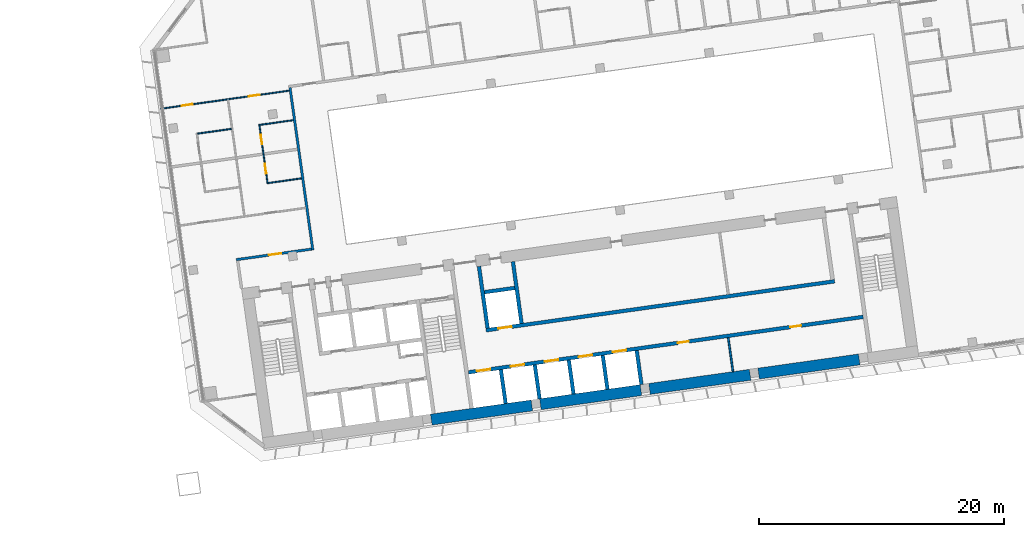
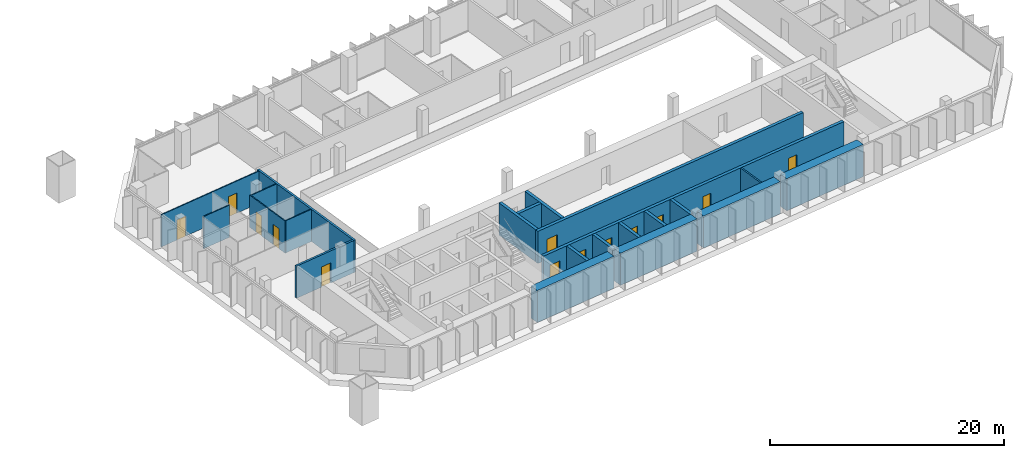
# One storey, part 19 of 25: 22 walls, 13 doors, 13 openings.
"""IFC4 building model written with IfcOpenShell, lengths in metres."""

from ifc_helpers import new_model, si_unit, direction, frame, frame_2d, origin, place, context, subcontext, project, spatial, rectangle, extrude, material, layer, layer_set, type_object, element, fill, save


model = new_model("IFC4")

# Units and contexts
model_context = context("Model", 3, precision=1e-05, world=origin(), true_north=direction((0.0, 1.0)))
body_context = subcontext(model_context, "Body", "Model", "MODEL_VIEW")
ifc_project = project(units=[si_unit("LENGTHUNIT", "METRE"), si_unit("AREAUNIT", "SQUARE_METRE"), si_unit("VOLUMEUNIT", "CUBIC_METRE"), si_unit("PLANEANGLEUNIT", "RADIAN"), si_unit("MASSUNIT", "GRAM", prefix="KILO")], contexts=[model_context])

# Site, building, storey
site_placement = place(None, origin())
site = spatial("IfcSite", under=ifc_project, at=site_placement, CompositionType="ELEMENT")
building_placement = place(site_placement, origin())
building = spatial("IfcBuilding", under=site, at=building_placement, Name="Mirante Cascada Hotel Towers", CompositionType="ELEMENT")
storey_placement = place(building_placement, frame((0.0, 0.0, 69.9)))
storey = spatial("IfcBuildingStorey", under=building, at=storey_placement, Name="L14", CompositionType="ELEMENT", Elevation=69.9)

# Wall, opening, door
ifc_material_1 = material(Name="Fire-rated plasterboard on metal studs")
ifc_layer_1 = layer(ifc_material_1, 0.2)
ifc_layer_set_1 = layer_set([ifc_layer_1], Name="Compartment wall 200 EI 120")
wall_type_1 = type_object("IfcWallType", Name="Compartment wall 200 EI 120", PredefinedType="PARTITIONING", material=ifc_layer_set_1)
wall_1_placement = place(storey_placement, frame((34.8304, -4.7545, 0.0), z_axis=(0.0, 0.0, 1.0), x_axis=(0.9902695, 0.1391629, 0.0)))
wall_1 = element("IfcWall", 1, at=wall_1_placement, inside=storey, type_object=wall_type_1, Name="Wall 2-L14-03", PredefinedType="PARTITIONING", context=body_context, shape_type="SweptSolid", body=[
    extrude(rectangle(XDim=6.1999, YDim=0.2, at=frame_2d((3.1, 0.0))), origin(), (0.0, 0.0, 1.0), 3.35),
])
opening_1_placement = place(wall_1_placement, frame((2.7, 0.0, 0.0)))
opening_1 = element("IfcOpeningElement", 2, at=opening_1_placement, cuts=wall_1, Name="Opening D2-L14-04", PredefinedType="OPENING", context=body_context, shape_type="SweptSolid", body=[
    extrude(rectangle(XDim=1.0, YDim=2.1, at=frame_2d((0.5, 1.05))), frame((0.0, 0.1, 0.0), z_axis=(0.0, -1.0, 0.0), x_axis=(1.0, 0.0, 0.0)), (0.0, 0.0, 1.0), 0.2),
])
ifc_material_2 = material(Name="Fire-rated timber door leaf", Category="wood")
door_type_1 = type_object("IfcDoorType", Name="Entrance door DG1 1000x2100 EI 60", OperationType="SINGLE_SWING_LEFT", PredefinedType="DOOR", material=ifc_material_2)
door_1_placement = place(opening_1_placement, frame((1.0, 0.0, 0.0), z_axis=(0.0, 0.0, 1.0), x_axis=(-1.0, 0.0, 0.0)))
door_1 = element("IfcDoor", 3, at=door_1_placement, inside=storey, type_object=door_type_1, Name="Door D2-L14-04", OperationType="SINGLE_SWING_RIGHT", OverallHeight=2.1, OverallWidth=1.0, PredefinedType="DOOR", context=body_context, shape_type="SweptSolid", body=[
    extrude(rectangle(XDim=1.0, YDim=2.1, at=frame_2d((0.5, 1.05))), frame((0.0, 0.025, 0.0), z_axis=(0.0, -1.0, 0.0), x_axis=(1.0, 0.0, 0.0)), (0.0, 0.0, 1.0), 0.05),
])
fill(opening_1, door_1)

# Walls
wall_2_placement = place(storey_placement, frame((39.2181, 9.2928, 0.0), z_axis=(0.0, 0.0, 1.0), x_axis=(0.1391716, -0.9902683, 0.0)))
element("IfcWall", 4, at=wall_2_placement, inside=storey, type_object=wall_type_1, Name="Wall 2-L14-34", PredefinedType="PARTITIONING", context=body_context, shape_type="SweptSolid", body=[
    extrude(rectangle(XDim=13.4, YDim=0.2, at=frame_2d((6.7, 0.0))), origin(), (0.0, 0.0, 1.0), 3.35),
])
ifc_material_3 = material(Name="Masonry block", Category="masonry")
ifc_layer_2 = layer(ifc_material_3, 0.15)
ifc_layer_set_2 = layer_set([ifc_layer_2], Name="Core room partition 150 block EI 30")
wall_type_2 = type_object("IfcWallType", Name="Core room partition 150 block EI 30", PredefinedType="PARTITIONING", material=ifc_layer_set_2)
wall_3_placement = place(storey_placement, frame((75.3976, -13.8977, 0.0), z_axis=(0.0, 0.0, 1.0), x_axis=(-0.139141, 0.9902726, 0.0)))
element("IfcWall", 5, at=wall_3_placement, inside=storey, type_object=wall_type_2, Name="Core wall partition T2 L14 5", PredefinedType="PARTITIONING", context=body_context, shape_type="SweptSolid", body=[
    extrude(rectangle(XDim=2.8, YDim=0.15, at=frame_2d((1.4, 0.0))), origin(), (0.0, 0.0, 1.0), 3.35),
])
ifc_material_4 = material(Name="Plasterboard on metal studs")
ifc_layer_3 = layer(ifc_material_4, 0.1)
ifc_layer_set_3 = layer_set([ifc_layer_3], Name="Partition 100")
wall_type_3 = type_object("IfcWallType", Name="Partition 100", PredefinedType="PARTITIONING", material=ifc_layer_set_3)
wall_4_placement = place(storey_placement, frame((40.1582, 1.8849, 0.0), z_axis=(0.0, 0.0, 1.0), x_axis=(-0.9902641, -0.1392013, 0.0)))
element("IfcWall", 6, at=wall_4_placement, inside=storey, type_object=wall_type_3, Name="Wall 2-L14-10", PredefinedType="PARTITIONING", context=body_context, shape_type="SweptSolid", body=[
    extrude(rectangle(XDim=2.75, YDim=0.1, at=frame_2d((1.375, 0.0))), origin(), (0.0, 0.0, 1.0), 3.35),
])
wall_5_placement = place(storey_placement, frame((31.667, 5.5387, 0.0), z_axis=(0.0, 0.0, 1.0), x_axis=(0.9902677, 0.139176, 0.0)))
element("IfcWall", 7, at=wall_5_placement, inside=storey, type_object=wall_type_3, Name="Wall 2-L14-13", PredefinedType="PARTITIONING", context=body_context, shape_type="SweptSolid", body=[
    extrude(rectangle(XDim=2.8001, YDim=0.1, at=frame_2d((1.4, 0.0))), origin(), (0.0, 0.0, 1.0), 3.35),
])
wall_6_placement = place(storey_placement, frame((39.4902, 6.6381, 0.0), z_axis=(0.0, 0.0, 1.0), x_axis=(-0.9902698, -0.1391607, 0.0)))
element("IfcWall", 8, at=wall_6_placement, inside=storey, type_object=wall_type_3, Name="Wall 2-L14-14", PredefinedType="PARTITIONING", context=body_context, shape_type="SweptSolid", body=[
    extrude(rectangle(XDim=2.7501, YDim=0.1, at=frame_2d((1.3751, 0.0))), origin(), (0.0, 0.0, 1.0), 3.35),
])

# Wall, openings, doors
wall_7_placement = place(storey_placement, frame((28.6547, 7.5726, 0.0), z_axis=(0.0, 0.0, 1.0), x_axis=(0.9902671, 0.1391797, 0.0)))
wall_7 = element("IfcWall", 9, at=wall_7_placement, inside=storey, type_object=wall_type_3, Name="Wall 2-L14-17", PredefinedType="PARTITIONING", context=body_context, shape_type="SweptSolid", body=[
    extrude(rectangle(XDim=10.6, YDim=0.1, at=frame_2d((5.3, 0.0))), origin(), (0.0, 0.0, 1.0), 3.35),
])
opening_2_placement = place(wall_7_placement, frame((1.725, 0.0, 0.0)))
opening_2 = element("IfcOpeningElement", 10, at=opening_2_placement, cuts=wall_7, Name="Opening D2-L14-07", PredefinedType="OPENING", context=body_context, shape_type="SweptSolid", body=[
    extrude(rectangle(XDim=0.9, YDim=2.1, at=frame_2d((0.45, 1.05))), frame((0.0, 0.05, 0.0), z_axis=(0.0, -1.0, 0.0), x_axis=(1.0, 0.0, 0.0)), (0.0, 0.0, 1.0), 0.1),
])
opening_3_placement = place(wall_7_placement, frame((7.275, 0.0, 0.0)))
opening_3 = element("IfcOpeningElement", 11, at=opening_3_placement, cuts=wall_7, Name="Opening D2-L14-08", PredefinedType="OPENING", context=body_context, shape_type="SweptSolid", body=[
    extrude(rectangle(XDim=0.9, YDim=2.1, at=frame_2d((0.45, 1.05))), frame((0.0, 0.05, 0.0), z_axis=(0.0, -1.0, 0.0), x_axis=(1.0, 0.0, 0.0)), (0.0, 0.0, 1.0), 0.1),
])
ifc_material_5 = material(Name="Timber door leaf", Category="wood")
door_type_2 = type_object("IfcDoorType", Name="Room door DG3 900x2100", OperationType="SINGLE_SWING_LEFT", PredefinedType="DOOR", material=ifc_material_5)
door_2_placement = place(opening_2_placement, origin())
door_2 = element("IfcDoor", 12, at=door_2_placement, inside=storey, type_object=door_type_2, Name="Door D2-L14-07", OperationType="SINGLE_SWING_LEFT", OverallHeight=2.1, OverallWidth=0.9, PredefinedType="DOOR", context=body_context, shape_type="SweptSolid", body=[
    extrude(rectangle(XDim=0.9, YDim=2.1, at=frame_2d((0.45, 1.05))), frame((0.0, 0.025, 0.0), z_axis=(0.0, -1.0, 0.0), x_axis=(1.0, 0.0, 0.0)), (0.0, 0.0, 1.0), 0.05),
])
fill(opening_2, door_2)
door_3_placement = place(opening_3_placement, origin())
door_3 = element("IfcDoor", 13, at=door_3_placement, inside=storey, type_object=door_type_2, Name="Door D2-L14-08", OperationType="SINGLE_SWING_LEFT", OverallHeight=2.1, OverallWidth=0.9, PredefinedType="DOOR", context=body_context, shape_type="SweptSolid", body=[
    extrude(rectangle(XDim=0.9, YDim=2.1, at=frame_2d((0.45, 1.05))), frame((0.0, 0.025, 0.0), z_axis=(0.0, -1.0, 0.0), x_axis=(1.0, 0.0, 0.0)), (0.0, 0.0, 1.0), 0.05),
])
fill(opening_3, door_3)

wall_8_placement = place(storey_placement, frame((37.3924, 1.4457, 0.0), z_axis=(0.0, 0.0, 1.0), x_axis=(-0.1391638, 0.9902694, 0.0)))
wall_8 = element("IfcWall", 14, at=wall_8_placement, inside=storey, type_object=wall_type_3, Name="Wall 2-L14-33", PredefinedType="PARTITIONING", context=body_context, shape_type="SweptSolid", body=[
    extrude(rectangle(XDim=4.9, YDim=0.1, at=frame_2d((2.45, 0.0))), origin(), (0.0, 0.0, 1.0), 3.35),
])
opening_4_placement = place(wall_8_placement, frame((0.85, 0.0, 0.0)))
opening_4 = element("IfcOpeningElement", 15, at=opening_4_placement, cuts=wall_8, Name="Opening D2-L14-32", PredefinedType="OPENING", context=body_context, shape_type="SweptSolid", body=[
    extrude(rectangle(XDim=0.8, YDim=2.1, at=frame_2d((0.4, 1.05))), frame((0.0, 0.05, 0.0), z_axis=(0.0, -1.0, 0.0), x_axis=(1.0, 0.0, 0.0)), (0.0, 0.0, 1.0), 0.1),
])
opening_5_placement = place(wall_8_placement, frame((3.25, 0.0, 0.0)))
opening_5 = element("IfcOpeningElement", 16, at=opening_5_placement, cuts=wall_8, Name="Opening D2-L14-33", PredefinedType="OPENING", context=body_context, shape_type="SweptSolid", body=[
    extrude(rectangle(XDim=0.8, YDim=2.1, at=frame_2d((0.4, 1.05))), frame((0.0, 0.05, 0.0), z_axis=(0.0, -1.0, 0.0), x_axis=(1.0, 0.0, 0.0)), (0.0, 0.0, 1.0), 0.1),
])
ifc_material_6 = material(Name="Timber door leaf", Category="wood")
door_type_3 = type_object("IfcDoorType", Name="Bathroom door DG4 800x2100", OperationType="SINGLE_SWING_LEFT", PredefinedType="DOOR", material=ifc_material_6)
door_4_placement = place(opening_4_placement, frame((0.8, 0.0, 0.0), z_axis=(0.0, 0.0, 1.0), x_axis=(-1.0, 0.0, 0.0)))
door_4 = element("IfcDoor", 17, at=door_4_placement, inside=storey, type_object=door_type_3, Name="Door D2-L14-32", OperationType="SINGLE_SWING_RIGHT", OverallHeight=2.1, OverallWidth=0.8, PredefinedType="DOOR", context=body_context, shape_type="SweptSolid", body=[
    extrude(rectangle(XDim=0.8, YDim=2.1, at=frame_2d((0.4, 1.05))), frame((0.0, 0.025, 0.0), z_axis=(0.0, -1.0, 0.0), x_axis=(1.0, 0.0, 0.0)), (0.0, 0.0, 1.0), 0.05),
])
fill(opening_4, door_4)
door_5_placement = place(opening_5_placement, frame((0.8, 0.0, 0.0), z_axis=(0.0, 0.0, 1.0), x_axis=(-1.0, 0.0, 0.0)))
door_5 = element("IfcDoor", 18, at=door_5_placement, inside=storey, type_object=door_type_3, Name="Door D2-L14-33", OperationType="SINGLE_SWING_RIGHT", OverallHeight=2.1, OverallWidth=0.8, PredefinedType="DOOR", context=body_context, shape_type="SweptSolid", body=[
    extrude(rectangle(XDim=0.8, YDim=2.1, at=frame_2d((0.4, 1.05))), frame((0.0, 0.025, 0.0), z_axis=(0.0, -1.0, 0.0), x_axis=(1.0, 0.0, 0.0)), (0.0, 0.0, 1.0), 0.05),
])
fill(opening_5, door_5)

ifc_material_7 = material(Name="Concrete C50/60", Category="concrete")
ifc_layer_4 = layer(ifc_material_7, 0.3)
ifc_layer_set_4 = layer_set([ifc_layer_4], Name="RC core wall 300 C50/60")
wall_type_4 = type_object("IfcWallType", Name="RC core wall 300 C50/60", PredefinedType="SHEAR", material=ifc_layer_set_4)
wall_9_placement = place(storey_placement, frame((53.7953, -13.9547, 0.0), z_axis=(0.0, 0.0, 1.0), x_axis=(0.990268, 0.1391733, 0.0)))
wall_9 = element("IfcWall", 19, at=wall_9_placement, inside=storey, type_object=wall_type_4, Name="Core wall T2:L14:25", PredefinedType="SHEAR", context=body_context, shape_type="SweptSolid", body=[
    extrude(rectangle(XDim=32.5501, YDim=0.3, at=frame_2d((16.275, 0.0))), origin(), (0.0, 0.0, 1.0), 3.35),
])
opening_6_placement = place(wall_9_placement, frame((0.7, 0.0, 0.0)))
opening_6 = element("IfcOpeningElement", 20, at=opening_6_placement, cuts=wall_9, Name="Opening LD", PredefinedType="OPENING", context=body_context, shape_type="SweptSolid", body=[
    extrude(rectangle(XDim=1.1, YDim=2.1, at=frame_2d((0.55, 1.05))), frame((0.0, 0.15, 0.0), z_axis=(0.0, -1.0, 0.0), x_axis=(1.0, 0.0, 0.0)), (0.0, 0.0, 1.0), 0.3),
])
opening_7_placement = place(wall_9_placement, frame((3.5, 0.0, 0.0)))
opening_7 = element("IfcOpeningElement", 21, at=opening_7_placement, cuts=wall_9, Name="Opening LD", PredefinedType="OPENING", context=body_context, shape_type="SweptSolid", body=[
    extrude(rectangle(XDim=1.1, YDim=2.1, at=frame_2d((0.55, 1.05))), frame((0.0, 0.15, 0.0), z_axis=(0.0, -1.0, 0.0), x_axis=(1.0, 0.0, 0.0)), (0.0, 0.0, 1.0), 0.3),
])
opening_8_placement = place(wall_9_placement, frame((6.3, 0.0, 0.0)))
opening_8 = element("IfcOpeningElement", 22, at=opening_8_placement, cuts=wall_9, Name="Opening LD", PredefinedType="OPENING", context=body_context, shape_type="SweptSolid", body=[
    extrude(rectangle(XDim=1.1, YDim=2.1, at=frame_2d((0.55, 1.05))), frame((0.0, 0.15, 0.0), z_axis=(0.0, -1.0, 0.0), x_axis=(1.0, 0.0, 0.0)), (0.0, 0.0, 1.0), 0.3),
])
opening_9_placement = place(wall_9_placement, frame((9.1, 0.0, 0.0)))
opening_9 = element("IfcOpeningElement", 23, at=opening_9_placement, cuts=wall_9, Name="Opening LD", PredefinedType="OPENING", context=body_context, shape_type="SweptSolid", body=[
    extrude(rectangle(XDim=1.1, YDim=2.1, at=frame_2d((0.55, 1.05))), frame((0.0, 0.15, 0.0), z_axis=(0.0, -1.0, 0.0), x_axis=(1.0, 0.0, 0.0)), (0.0, 0.0, 1.0), 0.3),
])
opening_10_placement = place(wall_9_placement, frame((11.9, 0.0, 0.0)))
opening_10 = element("IfcOpeningElement", 24, at=opening_10_placement, cuts=wall_9, Name="Opening LD", PredefinedType="OPENING", context=body_context, shape_type="SweptSolid", body=[
    extrude(rectangle(XDim=1.1, YDim=2.1, at=frame_2d((0.55, 1.05))), frame((0.0, 0.15, 0.0), z_axis=(0.0, -1.0, 0.0), x_axis=(1.0, 0.0, 0.0)), (0.0, 0.0, 1.0), 0.3),
])
opening_11_placement = place(wall_9_placement, frame((17.25, 0.0, 0.0)))
opening_11 = element("IfcOpeningElement", 25, at=opening_11_placement, cuts=wall_9, Name="Opening D2-14-C26", PredefinedType="OPENING", context=body_context, shape_type="SweptSolid", body=[
    extrude(rectangle(XDim=0.9, YDim=2.1, at=frame_2d((0.45, 1.05))), frame((0.0, 0.15, 0.0), z_axis=(0.0, -1.0, 0.0), x_axis=(1.0, 0.0, 0.0)), (0.0, 0.0, 1.0), 0.3),
])
opening_12_placement = place(wall_9_placement, frame((26.525, 0.0, 0.0)))
opening_12 = element("IfcOpeningElement", 26, at=opening_12_placement, cuts=wall_9, Name="Opening D2-14-C27", PredefinedType="OPENING", context=body_context, shape_type="SweptSolid", body=[
    extrude(rectangle(XDim=0.9, YDim=2.1, at=frame_2d((0.45, 1.05))), frame((0.0, 0.15, 0.0), z_axis=(0.0, -1.0, 0.0), x_axis=(1.0, 0.0, 0.0)), (0.0, 0.0, 1.0), 0.3),
])
ifc_material_8 = material(Name="Hollow metal fire door leaf")
door_type_4 = type_object("IfcDoorType", Name="Fire door 900x2100 FD60", OperationType="NOTDEFINED", PredefinedType="DOOR", material=ifc_material_8)
door_6_placement = place(opening_11_placement, frame((0.9, 0.0, 0.0), z_axis=(0.0, 0.0, 1.0), x_axis=(-1.0, 0.0, 0.0)))
door_6 = element("IfcDoor", 27, at=door_6_placement, inside=storey, type_object=door_type_4, Name="Room door T2 L14 26", OperationType="SINGLE_SWING_RIGHT", OverallHeight=2.1, OverallWidth=0.9, PredefinedType="DOOR", context=body_context, shape_type="SweptSolid", body=[
    extrude(rectangle(XDim=0.9, YDim=2.1, at=frame_2d((0.45, 1.05))), frame((0.0, 0.025, 0.0), z_axis=(0.0, -1.0, 0.0), x_axis=(1.0, 0.0, 0.0)), (0.0, 0.0, 1.0), 0.05),
])
fill(opening_11, door_6)
door_7_placement = place(opening_12_placement, frame((0.9, 0.0, 0.0), z_axis=(0.0, 0.0, 1.0), x_axis=(-1.0, 0.0, 0.0)))
door_7 = element("IfcDoor", 28, at=door_7_placement, inside=storey, type_object=door_type_4, Name="Room door T2 L14 27", OperationType="SINGLE_SWING_RIGHT", OverallHeight=2.1, OverallWidth=0.9, PredefinedType="DOOR", context=body_context, shape_type="SweptSolid", body=[
    extrude(rectangle(XDim=0.9, YDim=2.1, at=frame_2d((0.45, 1.05))), frame((0.0, 0.025, 0.0), z_axis=(0.0, -1.0, 0.0), x_axis=(1.0, 0.0, 0.0)), (0.0, 0.0, 1.0), 0.05),
])
fill(opening_12, door_7)
ifc_material_9 = material(Name="Stainless steel", Category="steel")
door_type_5 = type_object("IfcDoorType", Name="Lift landing door 1100x2100 EI 120", OperationType="DOUBLE_DOOR_SLIDING", PredefinedType="DOOR", material=ifc_material_9)
door_8_placement = place(opening_6_placement, origin())
door_8 = element("IfcDoor", 29, at=door_8_placement, inside=storey, type_object=door_type_5, Name="Lift landing door LR2-1 L14", OperationType="DOUBLE_DOOR_SLIDING", OverallHeight=2.1, OverallWidth=1.1, PredefinedType="DOOR", context=body_context, shape_type="SweptSolid", body=[
    extrude(rectangle(XDim=0.545, YDim=2.1, at=frame_2d((0.2725, 1.05))), frame((0.0, 0.025, 0.0), z_axis=(0.0, -1.0, 0.0), x_axis=(1.0, 0.0, 0.0)), (0.0, 0.0, 1.0), 0.05),
    extrude(rectangle(XDim=0.545, YDim=2.1, at=frame_2d((0.8275, 1.05))), frame((0.0, 0.025, 0.0), z_axis=(0.0, -1.0, 0.0), x_axis=(1.0, 0.0, 0.0)), (0.0, 0.0, 1.0), 0.05),
])
fill(opening_6, door_8)
door_9_placement = place(opening_7_placement, origin())
door_9 = element("IfcDoor", 30, at=door_9_placement, inside=storey, type_object=door_type_5, Name="Lift landing door LR2-2 L14", OperationType="DOUBLE_DOOR_SLIDING", OverallHeight=2.1, OverallWidth=1.1, PredefinedType="DOOR", context=body_context, shape_type="SweptSolid", body=[
    extrude(rectangle(XDim=0.545, YDim=2.1, at=frame_2d((0.2725, 1.05))), frame((0.0, 0.025, 0.0), z_axis=(0.0, -1.0, 0.0), x_axis=(1.0, 0.0, 0.0)), (0.0, 0.0, 1.0), 0.05),
    extrude(rectangle(XDim=0.545, YDim=2.1, at=frame_2d((0.8275, 1.05))), frame((0.0, 0.025, 0.0), z_axis=(0.0, -1.0, 0.0), x_axis=(1.0, 0.0, 0.0)), (0.0, 0.0, 1.0), 0.05),
])
fill(opening_7, door_9)
door_10_placement = place(opening_8_placement, origin())
door_10 = element("IfcDoor", 31, at=door_10_placement, inside=storey, type_object=door_type_5, Name="Lift landing door SV2-1 L14", OperationType="DOUBLE_DOOR_SLIDING", OverallHeight=2.1, OverallWidth=1.1, PredefinedType="DOOR", context=body_context, shape_type="SweptSolid", body=[
    extrude(rectangle(XDim=0.545, YDim=2.1, at=frame_2d((0.2725, 1.05))), frame((0.0, 0.025, 0.0), z_axis=(0.0, -1.0, 0.0), x_axis=(1.0, 0.0, 0.0)), (0.0, 0.0, 1.0), 0.05),
    extrude(rectangle(XDim=0.545, YDim=2.1, at=frame_2d((0.8275, 1.05))), frame((0.0, 0.025, 0.0), z_axis=(0.0, -1.0, 0.0), x_axis=(1.0, 0.0, 0.0)), (0.0, 0.0, 1.0), 0.05),
])
fill(opening_8, door_10)
door_11_placement = place(opening_9_placement, origin())
door_11 = element("IfcDoor", 32, at=door_11_placement, inside=storey, type_object=door_type_5, Name="Lift landing door SV2-2 L14", OperationType="DOUBLE_DOOR_SLIDING", OverallHeight=2.1, OverallWidth=1.1, PredefinedType="DOOR", context=body_context, shape_type="SweptSolid", body=[
    extrude(rectangle(XDim=0.545, YDim=2.1, at=frame_2d((0.2725, 1.05))), frame((0.0, 0.025, 0.0), z_axis=(0.0, -1.0, 0.0), x_axis=(1.0, 0.0, 0.0)), (0.0, 0.0, 1.0), 0.05),
    extrude(rectangle(XDim=0.545, YDim=2.1, at=frame_2d((0.8275, 1.05))), frame((0.0, 0.025, 0.0), z_axis=(0.0, -1.0, 0.0), x_axis=(1.0, 0.0, 0.0)), (0.0, 0.0, 1.0), 0.05),
])
fill(opening_9, door_11)
door_12_placement = place(opening_10_placement, origin())
door_12 = element("IfcDoor", 33, at=door_12_placement, inside=storey, type_object=door_type_5, Name="Lift landing door SV2-3 L14", OperationType="DOUBLE_DOOR_SLIDING", OverallHeight=2.1, OverallWidth=1.1, PredefinedType="DOOR", context=body_context, shape_type="SweptSolid", body=[
    extrude(rectangle(XDim=0.545, YDim=2.1, at=frame_2d((0.2725, 1.05))), frame((0.0, 0.025, 0.0), z_axis=(0.0, -1.0, 0.0), x_axis=(1.0, 0.0, 0.0)), (0.0, 0.0, 1.0), 0.05),
    extrude(rectangle(XDim=0.545, YDim=2.1, at=frame_2d((0.8275, 1.05))), frame((0.0, 0.025, 0.0), z_axis=(0.0, -1.0, 0.0), x_axis=(1.0, 0.0, 0.0)), (0.0, 0.0, 1.0), 0.05),
])
fill(opening_10, door_12)

# Walls
for number, where, z_axis, x_axis, name in (
    (34, (56.8301, -16.5072, 0.0), (0.0, 0.0, 1.0), (-0.139176, 0.9902677, 0.0), "Core wall T2:L14:26"),
    (35, (59.6029, -16.1175, 0.0), (0.0, 0.0, 1.0), (-0.139176, 0.9902677, 0.0), "Core wall T2:L14:27"),
    (36, (62.3756, -15.7278, 0.0), (0.0, 0.0, 1.0), (-0.139176, 0.9902677, 0.0), "Core wall T2:L14:28"),
    (37, (65.1484, -15.3381, 0.0), (0.0, 0.0, 1.0), (-0.139176, 0.9902677, 0.0), "Core wall T2:L14:29"),
):
    element("IfcWall", number, at=place(storey_placement, frame(where, z_axis=z_axis, x_axis=x_axis)), inside=storey, type_object=wall_type_4, Name=name, PredefinedType="SHEAR", context=body_context, shape_type="SweptSolid", body=[
        extrude(rectangle(XDim=2.8001, YDim=0.3, at=frame_2d((1.4, 0.0))), origin(), (0.0, 0.0, 1.0), 3.35),
    ])
wall_10_placement = place(storey_placement, frame((67.9211, -14.9484, 0.0), z_axis=(0.0, 0.0, 1.0), x_axis=(-0.139181, 0.990267, 0.0)))
element("IfcWall", 38, at=wall_10_placement, inside=storey, type_object=wall_type_4, Name="Core wall T2:L14:30", PredefinedType="SHEAR", context=body_context, shape_type="SweptSolid", body=[
    extrude(rectangle(XDim=2.8, YDim=0.3, at=frame_2d((1.4, 0.0))), origin(), (0.0, 0.0, 1.0), 3.35),
])

# Wall, opening, door
wall_11_placement = place(storey_placement, frame((55.2315, -10.5214, 0.0), z_axis=(0.0, 0.0, 1.0), x_axis=(0.9902682, 0.1391722, 0.0)))
wall_11 = element("IfcWall", 39, at=wall_11_placement, inside=storey, type_object=wall_type_4, Name="Core wall T2:L14:32", PredefinedType="SHEAR", context=body_context, shape_type="SweptSolid", body=[
    extrude(rectangle(XDim=28.75, YDim=0.3, at=frame_2d((14.375, 0.0))), origin(), (0.0, 0.0, 1.0), 3.35),
])
opening_13_placement = place(wall_11_placement, frame((1.0, 0.0, 0.0)))
opening_13 = element("IfcOpeningElement", 40, at=opening_13_placement, cuts=wall_11, Name="Opening LD", PredefinedType="OPENING", context=body_context, shape_type="SweptSolid", body=[
    extrude(rectangle(XDim=1.1, YDim=2.1, at=frame_2d((0.55, 1.05))), frame((0.0, 0.15, 0.0), z_axis=(0.0, -1.0, 0.0), x_axis=(1.0, 0.0, 0.0)), (0.0, 0.0, 1.0), 0.3),
])
door_13_placement = place(opening_13_placement, origin())
door_13 = element("IfcDoor", 41, at=door_13_placement, inside=storey, type_object=door_type_5, Name="Lift landing door LR2-3 L14", OperationType="DOUBLE_DOOR_SLIDING", OverallHeight=2.1, OverallWidth=1.1, PredefinedType="DOOR", context=body_context, shape_type="SweptSolid", body=[
    extrude(rectangle(XDim=0.545, YDim=2.1, at=frame_2d((0.2725, 1.05))), frame((0.0, 0.025, 0.0), z_axis=(0.0, -1.0, 0.0), x_axis=(1.0, 0.0, 0.0)), (0.0, 0.0, 1.0), 0.05),
    extrude(rectangle(XDim=0.545, YDim=2.1, at=frame_2d((0.8275, 1.05))), frame((0.0, 0.025, 0.0), z_axis=(0.0, -1.0, 0.0), x_axis=(1.0, 0.0, 0.0)), (0.0, 0.0, 1.0), 0.05),
])
fill(opening_13, door_13)

# Walls
for number, where, z_axis, x_axis, name in (
    (42, (55.3592, -10.352, 0.0), (0.0, 0.0, 1.0), (-0.1391755, 0.9902677, 0.0), "Core wall T2:L14:33"),
    (43, (58.1319, -9.9623, 0.0), (0.0, 0.0, 1.0), (-0.1391755, 0.9902677, 0.0), "Core wall T2:L14:35"),
):
    element("IfcWall", number, at=place(storey_placement, frame(where, z_axis=z_axis, x_axis=x_axis)), inside=storey, type_object=wall_type_4, Name=name, PredefinedType="SHEAR", context=body_context, shape_type="SweptSolid", body=[
        extrude(rectangle(XDim=5.1, YDim=0.3, at=frame_2d((2.55, 0.0))), origin(), (0.0, 0.0, 1.0), 3.35),
    ])
wall_12_placement = place(storey_placement, frame((55.0971, -7.4098, 0.0), z_axis=(0.0, 0.0, 1.0), x_axis=(0.9902701, 0.1391586, 0.0)))
element("IfcWall", 44, at=wall_12_placement, inside=storey, type_object=wall_type_4, Name="Core wall T2:L14:36", PredefinedType="SHEAR", context=body_context, shape_type="SweptSolid", body=[
    extrude(rectangle(XDim=2.5, YDim=0.3, at=frame_2d((1.25, 0.0))), origin(), (0.0, 0.0, 1.0), 3.35),
])
ifc_material_10 = material(Name="Concrete C50/60", Category="concrete")
ifc_layer_5 = layer(ifc_material_10, 0.9)
ifc_layer_set_5 = layer_set([ifc_layer_5], Name="RC core wall 900 C50/60")
wall_type_5 = type_object("IfcWallType", Name="RC core wall 900 C50/60", PredefinedType="SHEAR", material=ifc_layer_set_5)
for number, where, z_axis, x_axis, name in (
    (45, (50.7531, -17.8156, 0.0), (0.0, 0.0, 1.0), (0.9902686, 0.1391692, 0.0), "Core wall T2:L14:1.3"),
    (46, (59.6655, -16.5631, 0.0), (0.0, 0.0, 1.0), (0.9902686, 0.1391692, 0.0), "Core wall T2:L14:1.4"),
    (47, (68.5779, -15.3105, 0.0), (0.0, 0.0, 1.0), (0.9902686, 0.1391692, 0.0), "Core wall T2:L14:1.5"),
    (48, (77.4903, -14.058, 0.0), (0.0, 0.0, 1.0), (0.990267, 0.139181, 0.0), "Core wall T2:L14:1.6"),
):
    element("IfcWall", number, at=place(storey_placement, frame(where, z_axis=z_axis, x_axis=x_axis)), inside=storey, type_object=wall_type_5, Name=name, PredefinedType="SHEAR", context=body_context, shape_type="SweptSolid", body=[
        extrude(rectangle(XDim=8.3, YDim=0.9, at=frame_2d((4.15, 0.0))), origin(), (0.0, 0.0, 1.0), 3.35),
    ])

save(model, "model.ifc")
